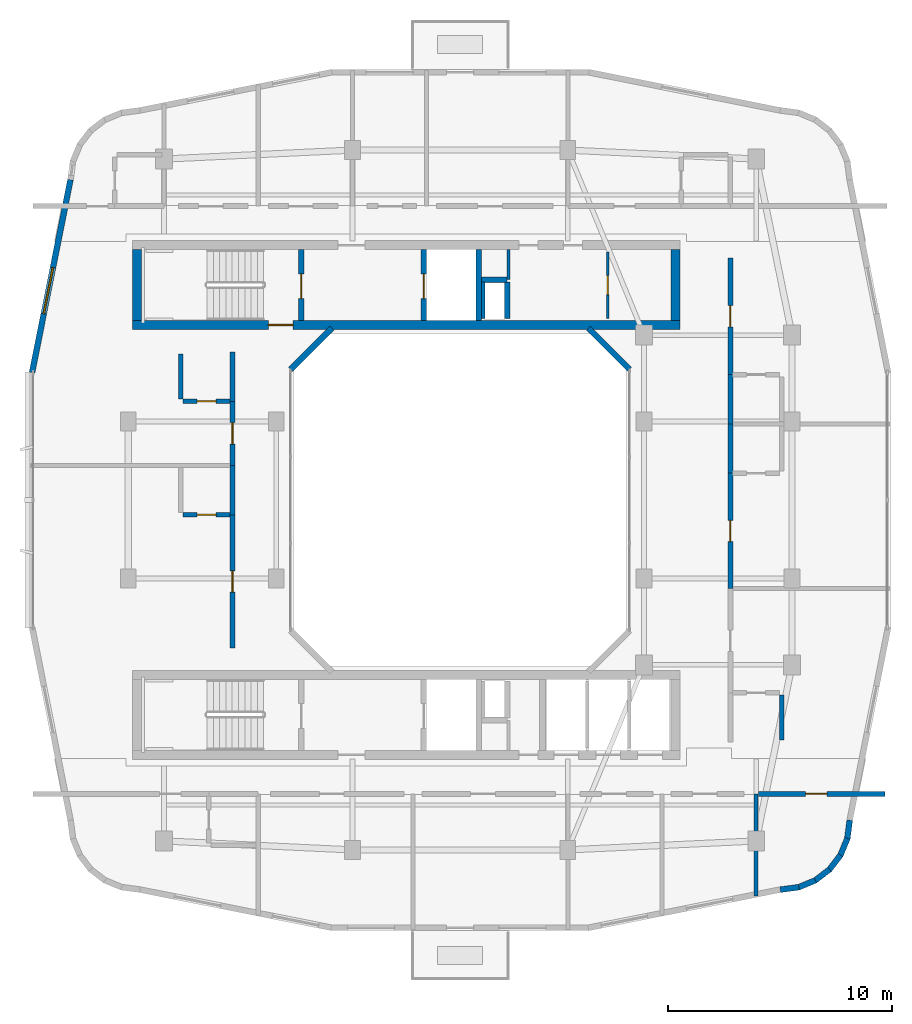
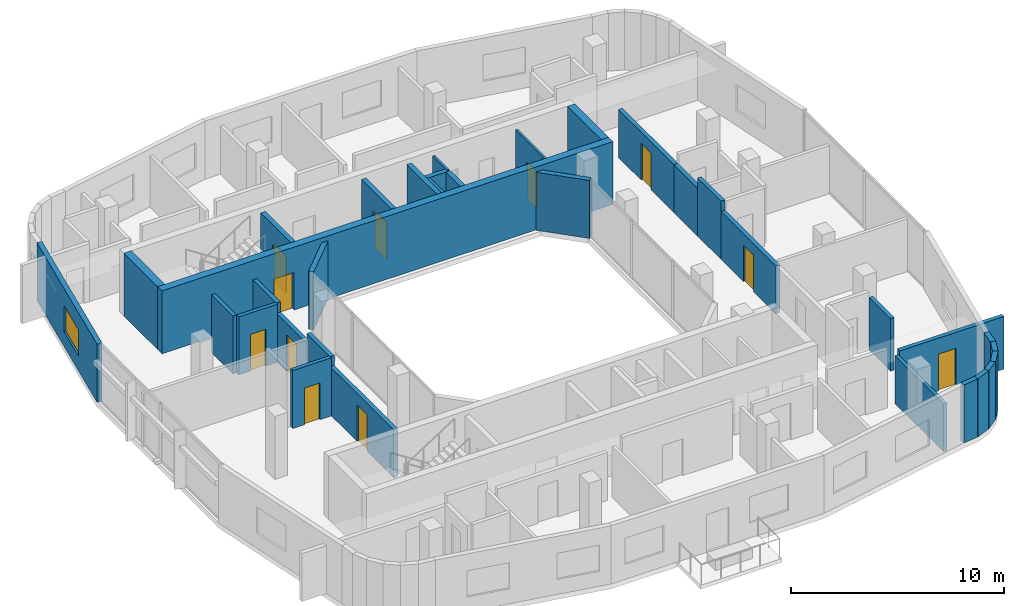
# One storey, part 7 of 13: 34 walls, 11 doors, 1 window, 12 openings.
"""IFC4 building model written with IfcOpenShell, lengths in metres."""

from ifc_helpers import new_model, si_unit, derived_unit, direction, frame, frame_2d, origin, place, context, subcontext, project, spatial, rectangle, extrude, material, layer, layer_set, type_object, element, fill, save


model = new_model("IFC4")

# Units and contexts
model_context = context("Model", 3, precision=1e-05, world=origin(), true_north=direction((0.0, 1.0)))
body_context = subcontext(model_context, "Body", "Model", "MODEL_VIEW")
ifc_project = project(units=[si_unit("LENGTHUNIT", "METRE"), si_unit("AREAUNIT", "SQUARE_METRE"), si_unit("VOLUMEUNIT", "CUBIC_METRE"), si_unit("PLANEANGLEUNIT", "RADIAN"), si_unit("MASSUNIT", "GRAM", prefix="KILO"), derived_unit("THERMALTRANSMITTANCEUNIT", [(si_unit("POWERUNIT", "WATT"), 1), (si_unit("LENGTHUNIT", "METRE"), -2), (si_unit("THERMODYNAMICTEMPERATUREUNIT", "KELVIN"), -1)])], contexts=[model_context])

# Site, building, storey
site_placement = place(None, origin())
site = spatial("IfcSite", under=ifc_project, at=site_placement, CompositionType="ELEMENT")
building_placement = place(site_placement, origin())
building = spatial("IfcBuilding", under=site, at=building_placement, Name="Kivonza Crest Hotel", CompositionType="ELEMENT")
storey_placement = place(building_placement, frame((0.0, 0.0, 231.5)))
storey = spatial("IfcBuildingStorey", under=building, at=storey_placement, Name="L63", CompositionType="ELEMENT", Elevation=231.5)

# Wall
ifc_material_1 = material(Name="High-density acoustic masonry inter-tenancy wall", Category="masonry")
ifc_layer_1 = layer(ifc_material_1, 0.179931640625)
ifc_layer_set_1 = layer_set([ifc_layer_1], Name="High-density acoustic masonry inter-tenancy wall")
wall_type_1 = type_object("IfcWallType", Name="WL-ACOU-180", PredefinedType="SOLIDWALL", material=ifc_layer_set_1)
wall_1_placement = place(storey_placement, frame((34.199951171875, 7.342041015625, 0.0), z_axis=(0.0, 0.0, 1.0), x_axis=(0.0, 1.0, 0.0)))
element("IfcWall", 1, at=wall_1_placement, inside=storey, type_object=wall_type_1, Name="L63 interior partition WA-L63-T1S-DIV3", PredefinedType="SOLIDWALL", context=body_context, shape_type="SweptSolid", body=[
    extrude(rectangle(XDim=4.557861328125, YDim=0.179931640625, at=frame_2d((2.27880859375, 0.0))), origin(), (0.0, 0.0, 1.0), 2.7451171875),
])

# Wall, opening, door
ifc_material_2 = material(Name="Autoclaved aerated concrete blockwork", Category="masonry")
ifc_layer_2 = layer(ifc_material_2, 0.219970703125)
ifc_layer_set_2 = layer_set([ifc_layer_2], Name="Autoclaved aerated concrete blockwork")
wall_type_2 = type_object("IfcWallType", Name="WL-ACOU-220", PredefinedType="SOLIDWALL", material=ifc_layer_set_2)
wall_2_placement = place(storey_placement, frame((34.300048828125, 11.89990234375, 0.0), z_axis=(0.0, 0.0, 1.0), x_axis=(1.0, 0.0, 0.0)))
wall_2 = element("IfcWall", 2, at=wall_2_placement, inside=storey, type_object=wall_type_2, Name="L63 interior partition WA-L63-BUS-MTG-N", PredefinedType="SOLIDWALL", context=body_context, shape_type="SweptSolid", body=[
    extrude(rectangle(XDim=5.639892578125, YDim=0.219970703125, at=frame_2d((2.81982421875, 0.0))), origin(), (0.0, 0.0, 1.0), 3.014892578125),
])
opening_1_placement = place(wall_2_placement, frame((2.10009765625, 0.0, 0.0)))
opening_1 = element("IfcOpeningElement", 3, at=opening_1_placement, cuts=wall_2, Name="Opening DF-60S", PredefinedType="OPENING", context=body_context, shape_type="SweptSolid", body=[
    extrude(rectangle(XDim=0.949951171875, YDim=2.10009765625, at=frame_2d((0.47509765625, 1.050048828125))), frame((0.0, 0.1201171875, 0.0), z_axis=(0.0, -1.0, 0.0), x_axis=(1.0, 0.0, 0.0)), (0.0, 0.0, 1.0), 0.239990234375),
])
ifc_material_3 = material(Name="Hardwood timber oak", Category="wood")
door_type_1 = type_object("IfcDoorType", Name="DR-FD60-950", OperationType="NOTDEFINED", PredefinedType="DOOR", material=ifc_material_3)
door_1_placement = place(opening_1_placement, frame((0.949951171875, 0.0, 0.0), z_axis=(0.0, 0.0, 1.0), x_axis=(-1.0, 0.0, 0.0)))
door_1 = element("IfcDoor", 4, at=door_1_placement, inside=storey, type_object=door_type_1, Name="L63 Private Fitness Gym Studio door", OperationType="SINGLE_SWING_RIGHT", OverallHeight=2.10009765625, OverallWidth=0.949951171875, PredefinedType="DOOR", context=body_context, shape_type="SweptSolid", body=[
    extrude(rectangle(XDim=0.949951171875, YDim=2.10009765625, at=frame_2d((0.47509765625, 1.050048828125))), frame((0.0, 0.02490234375, 0.0), z_axis=(0.0, -1.0, 0.0), x_axis=(1.0, 0.0, 0.0)), (0.0, 0.0, 1.0), 0.050048828125),
])
fill(opening_1, door_1)

# Wall
wall_3_placement = place(storey_placement, frame((10.85009765625, 24.340087890625, 0.0), z_axis=(0.0, 0.0, 1.0), x_axis=(0.0, 1.0, 0.0)))
element("IfcWall", 5, at=wall_3_placement, inside=storey, type_object=wall_type_2, Name="L63 interior partition WA-L63-W04-BCORR", PredefinedType="SOLIDWALL", context=body_context, shape_type="SweptSolid", body=[
    extrude(rectangle(XDim=2.199951171875, YDim=0.219970703125, at=frame_2d((1.10009765625, 0.0))), origin(), (0.0, 0.0, 1.0), 3.320068359375),
])

# Wall, opening, door
wall_4_placement = place(storey_placement, frame((10.85009765625, 18.39990234375, 0.0), z_axis=(0.0, 0.0, 1.0), x_axis=(0.0, 1.0, 0.0)))
wall_4 = element("IfcWall", 6, at=wall_4_placement, inside=storey, type_object=wall_type_2, Name="L63 interior partition WA-L63-W04-MCORR", PredefinedType="SOLIDWALL", context=body_context, shape_type="SweptSolid", body=[
    extrude(rectangle(XDim=5.940185546875, YDim=0.219970703125, at=frame_2d((2.97021484375, 0.0))), origin(), (0.0, 0.0, 1.0), 2.7451171875),
])
opening_2_placement = place(wall_4_placement, frame((2.4951171875, 0.0, 0.0)))
opening_2 = element("IfcOpeningElement", 7, at=opening_2_placement, cuts=wall_4, Name="Opening DU-60", PredefinedType="OPENING", context=body_context, shape_type="SweptSolid", body=[
    extrude(rectangle(XDim=0.949951171875, YDim=2.10009765625, at=frame_2d((0.47509765625, 1.050048828125))), frame((0.0, 0.1201171875, 0.0), z_axis=(0.0, -1.0, 0.0), x_axis=(1.0, 0.0, 0.0)), (0.0, 0.0, 1.0), 0.239990234375),
])
door_type_2 = type_object("IfcDoorType", Name="DR-UNIT-950", OperationType="NOTDEFINED", PredefinedType="DOOR", material=ifc_material_3)
door_2_placement = place(opening_2_placement, origin())
door_2 = element("IfcDoor", 8, at=door_2_placement, inside=storey, type_object=door_type_2, Name="L63 W04 guest unit entrance fire door", OperationType="SINGLE_SWING_RIGHT", OverallHeight=2.10009765625, OverallWidth=0.949951171875, PredefinedType="DOOR", context=body_context, shape_type="SweptSolid", body=[
    extrude(rectangle(XDim=0.949951171875, YDim=2.10009765625, at=frame_2d((0.47509765625, 1.050048828125))), frame((0.0, 0.02490234375, 0.0), z_axis=(0.0, -1.0, 0.0), x_axis=(1.0, 0.0, 0.0)), (0.0, 0.0, 1.0), 0.050048828125),
])
fill(opening_2, door_2)

# Wall
wall_5_placement = place(storey_placement, frame((10.85009765625, 29.39990234375, 0.0), z_axis=(0.0, 0.0, 1.0), x_axis=(0.0, 1.0, 0.0)))
element("IfcWall", 9, at=wall_5_placement, inside=storey, type_object=wall_type_2, Name="L63 interior partition WA-L63-W05-BCORR", PredefinedType="SOLIDWALL", context=body_context, shape_type="SweptSolid", body=[
    extrude(rectangle(XDim=2.2001953125, YDim=0.219970703125, at=frame_2d((1.10009765625, 0.0))), origin(), (0.0, 0.0, 1.0), 3.320068359375),
])

# Wall, opening, door
wall_6_placement = place(storey_placement, frame((10.85009765625, 26.5400390625, 0.0), z_axis=(0.0, 0.0, 1.0), x_axis=(0.0, 1.0, 0.0)))
wall_6 = element("IfcWall", 10, at=wall_6_placement, inside=storey, type_object=wall_type_2, Name="L63 interior partition WA-L63-W05-MCORR", PredefinedType="SOLIDWALL", context=body_context, shape_type="SweptSolid", body=[
    extrude(rectangle(XDim=2.85986328125, YDim=0.219970703125, at=frame_2d((1.429931640625, 0.0))), origin(), (0.0, 0.0, 1.0), 2.7451171875),
])
opening_3_placement = place(wall_6_placement, frame((0.955078125, 0.0, 0.0)))
opening_3 = element("IfcOpeningElement", 11, at=opening_3_placement, cuts=wall_6, Name="Opening DU-60", PredefinedType="OPENING", context=body_context, shape_type="SweptSolid", body=[
    extrude(rectangle(XDim=0.949951171875, YDim=2.10009765625, at=frame_2d((0.47509765625, 1.050048828125))), frame((0.0, 0.1201171875, 0.0), z_axis=(0.0, -1.0, 0.0), x_axis=(1.0, 0.0, 0.0)), (0.0, 0.0, 1.0), 0.239990234375),
])
door_3_placement = place(opening_3_placement, origin())
door_3 = element("IfcDoor", 12, at=door_3_placement, inside=storey, type_object=door_type_2, Name="L63 W05 guest unit entrance fire door", OperationType="SINGLE_SWING_LEFT", OverallHeight=2.10009765625, OverallWidth=0.949951171875, PredefinedType="DOOR", context=body_context, shape_type="SweptSolid", body=[
    extrude(rectangle(XDim=0.949951171875, YDim=2.10009765625, at=frame_2d((0.47509765625, 1.050048828125))), frame((0.0, 0.02490234375, 0.0), z_axis=(0.0, -1.0, 0.0), x_axis=(1.0, 0.0, 0.0)), (0.0, 0.0, 1.0), 0.050048828125),
])
fill(opening_3, door_3)

# Wall
wall_7_placement = place(storey_placement, frame((33.050048828125, 26.193115234375, 0.0), z_axis=(0.0, 0.0, 1.0), x_axis=(0.0, 1.0, 0.0)))
element("IfcWall", 13, at=wall_7_placement, inside=storey, type_object=wall_type_2, Name="L63 interior partition WA-L63-E07-BCORR", PredefinedType="SOLIDWALL", context=body_context, shape_type="SweptSolid", body=[
    extrude(rectangle(XDim=2.199951171875, YDim=0.219970703125, at=frame_2d((1.10009765625, 0.0))), origin(), (0.0, 0.0, 1.0), 3.320068359375),
])

# Wall, opening, door
wall_8_placement = place(storey_placement, frame((33.050048828125, 21.049072265625, 0.0), z_axis=(0.0, 0.0, 1.0), x_axis=(0.0, 1.0, 0.0)))
wall_8 = element("IfcWall", 14, at=wall_8_placement, inside=storey, type_object=wall_type_2, Name="L63 interior partition WA-L63-E07-MCORR", PredefinedType="SOLIDWALL", context=body_context, shape_type="SweptSolid", body=[
    extrude(rectangle(XDim=5.14404296875, YDim=0.219970703125, at=frame_2d((2.572021484375, 0.0))), origin(), (0.0, 0.0, 1.0), 2.7451171875),
])
opening_4_placement = place(wall_8_placement, frame((2.096923828125, 0.0, 0.0)))
opening_4 = element("IfcOpeningElement", 15, at=opening_4_placement, cuts=wall_8, Name="Opening DU-60", PredefinedType="OPENING", context=body_context, shape_type="SweptSolid", body=[
    extrude(rectangle(XDim=0.949951171875, YDim=2.10009765625, at=frame_2d((0.47509765625, 1.050048828125))), frame((0.0, 0.1201171875, 0.0), z_axis=(0.0, -1.0, 0.0), x_axis=(1.0, 0.0, 0.0)), (0.0, 0.0, 1.0), 0.239990234375),
])
door_4_placement = place(opening_4_placement, frame((0.949951171875, 0.0, 0.0), z_axis=(0.0, 0.0, 1.0), x_axis=(-1.0, 0.0, 0.0)))
door_4 = element("IfcDoor", 16, at=door_4_placement, inside=storey, type_object=door_type_2, Name="L63 E07 guest unit entrance fire door", OperationType="SINGLE_SWING_LEFT", OverallHeight=2.10009765625, OverallWidth=0.949951171875, PredefinedType="DOOR", context=body_context, shape_type="SweptSolid", body=[
    extrude(rectangle(XDim=0.949951171875, YDim=2.10009765625, at=frame_2d((0.47509765625, 1.050048828125))), frame((0.0, 0.02490234375, 0.0), z_axis=(0.0, -1.0, 0.0), x_axis=(1.0, 0.0, 0.0)), (0.0, 0.0, 1.0), 0.050048828125),
])
fill(opening_4, door_4)

# Wall
wall_9_placement = place(storey_placement, frame((33.050048828125, 28.39306640625, 0.0), z_axis=(0.0, 0.0, 1.0), x_axis=(0.0, 1.0, 0.0)))
element("IfcWall", 17, at=wall_9_placement, inside=storey, type_object=wall_type_2, Name="L63 interior partition WA-L63-E08-BCORR", PredefinedType="SOLIDWALL", context=body_context, shape_type="SweptSolid", body=[
    extrude(rectangle(XDim=2.199951171875, YDim=0.219970703125, at=frame_2d((1.10009765625, 0.0))), origin(), (0.0, 0.0, 1.0), 2.7451171875),
])

# Wall, opening, door
wall_10_placement = place(storey_placement, frame((33.050048828125, 30.593017578125, 0.0), z_axis=(0.0, 0.0, 1.0), x_axis=(0.0, 1.0, 0.0)))
wall_10 = element("IfcWall", 18, at=wall_10_placement, inside=storey, type_object=wall_type_2, Name="L63 interior partition WA-L63-E08-MCORR", PredefinedType="SOLIDWALL", context=body_context, shape_type="SweptSolid", body=[
    extrude(rectangle(XDim=5.20703125, YDim=0.219970703125, at=frame_2d((2.603515625, 0.0))), origin(), (0.0, 0.0, 1.0), 2.7451171875),
])
opening_5_placement = place(wall_10_placement, frame((2.1279296875, 0.0, 0.0)))
opening_5 = element("IfcOpeningElement", 19, at=opening_5_placement, cuts=wall_10, Name="Opening DU-60", PredefinedType="OPENING", context=body_context, shape_type="SweptSolid", body=[
    extrude(rectangle(XDim=0.949951171875, YDim=2.10009765625, at=frame_2d((0.47509765625, 1.050048828125))), frame((0.0, 0.1201171875, 0.0), z_axis=(0.0, -1.0, 0.0), x_axis=(1.0, 0.0, 0.0)), (0.0, 0.0, 1.0), 0.239990234375),
])
door_5_placement = place(opening_5_placement, frame((0.949951171875, 0.0, 0.0), z_axis=(0.0, 0.0, 1.0), x_axis=(-1.0, 0.0, 0.0)))
door_5 = element("IfcDoor", 20, at=door_5_placement, inside=storey, type_object=door_type_2, Name="L63 E08 guest unit entrance fire door", OperationType="SINGLE_SWING_RIGHT", OverallHeight=2.10009765625, OverallWidth=0.949951171875, PredefinedType="DOOR", context=body_context, shape_type="SweptSolid", body=[
    extrude(rectangle(XDim=0.949951171875, YDim=2.10009765625, at=frame_2d((0.47509765625, 1.050048828125))), frame((0.0, 0.02490234375, 0.0), z_axis=(0.0, -1.0, 0.0), x_axis=(1.0, 0.0, 0.0)), (0.0, 0.0, 1.0), 0.050048828125),
])
fill(opening_5, door_5)

ifc_material_4 = material(Name="Concrete C50/60", Category="concrete")
ifc_layer_3 = layer(ifc_material_4, 0.39990234375)
ifc_layer_set_3 = layer_set([ifc_layer_3], Name="Concrete C50/60")
wall_type_3 = type_object("IfcWallType", Name="WL-CORE-400", PredefinedType="SHEAR", material=ifc_layer_set_3)
wall_11_placement = place(storey_placement, frame((6.39990234375, 32.800048828125, 0.0), z_axis=(0.0, 0.0, 1.0), x_axis=(1.0, 0.0, 0.0)))
wall_11 = element("IfcWall", 21, at=wall_11_placement, inside=storey, type_object=wall_type_3, Name="Core wall T1-N South L63", PredefinedType="SHEAR", context=body_context, shape_type="SweptSolid", body=[
    extrude(rectangle(XDim=24.400146484375, YDim=0.39990234375, at=frame_2d((12.2001953125, 0.0))), origin(), (0.0, 0.0, 1.0), 3.60009765625),
])
opening_6_placement = place(wall_11_placement, frame((6.050048828125, 0.0, 0.0)))
opening_6 = element("IfcOpeningElement", 22, at=opening_6_placement, cuts=wall_11, Name="Opening DF-120", PredefinedType="OPENING", context=body_context, shape_type="SweptSolid", body=[
    extrude(rectangle(XDim=1.10009765625, YDim=2.14990234375, at=frame_2d((0.550048828125, 1.074951171875))), frame((0.0, 0.2099609375, 0.0), z_axis=(0.0, -1.0, 0.0), x_axis=(1.0, 0.0, 0.0)), (0.0, 0.0, 1.0), 0.419921875),
])
ifc_material_5 = material(Name="Galvanised steel", Category="steel")
door_type_3 = type_object("IfcDoorType", Name="DR-FD120-1100", OperationType="NOTDEFINED", PredefinedType="DOOR", material=ifc_material_5)
door_6_placement = place(opening_6_placement, origin())
door_6 = element("IfcDoor", 23, at=door_6_placement, inside=storey, type_object=door_type_3, Name="L63 West corridor stair access fire door", OperationType="SINGLE_SWING_LEFT", OverallHeight=2.14990234375, OverallWidth=1.10009765625, PredefinedType="DOOR", context=body_context, shape_type="SweptSolid", body=[
    extrude(rectangle(XDim=1.10009765625, YDim=2.14990234375, at=frame_2d((0.550048828125, 1.074951171875))), frame((0.0, 0.02490234375, 0.0), z_axis=(0.0, -1.0, 0.0), x_axis=(1.0, 0.0, 0.0)), (0.0, 0.0, 1.0), 0.050048828125),
])
fill(opening_6, door_6)

# Walls
for number, where, z_axis, x_axis, name in (
    (24, (6.60009765625, 33.0, 0.0), (0.0, 0.0, 1.0), (0.0, 1.0, 0.0), "Core wall T1-N West L63"),
    (25, (30.60009765625, 33.0, 0.0), (0.0, 0.0, 1.0), (0.0, 1.0, 0.0), "Core wall T1-N East L63"),
):
    element("IfcWall", number, at=place(storey_placement, frame(where, z_axis=z_axis, x_axis=x_axis)), inside=storey, type_object=wall_type_3, Name=name, PredefinedType="SHEAR", context=body_context, shape_type="SweptSolid", body=[
        extrude(rectangle(XDim=3.159912109375, YDim=0.39990234375, at=frame_2d((1.580078125, 0.0))), origin(), (0.0, 0.0, 1.0), 3.60009765625),
    ])
ifc_material_6 = material(Name="Precast concrete C40/50", Category="concrete")
ifc_layer_4 = layer(ifc_material_6, 0.260009765625)
ifc_layer_set_4 = layer_set([ifc_layer_4], Name="Precast concrete C40/50")
wall_type_4 = type_object("IfcWallType", Name="WL-EXT-260", PredefinedType="STANDARD", material=ifc_layer_set_4)
wall_12_placement = place(storey_placement, frame((35.27490234375, 7.6279296875, 0.0), z_axis=(0.0, 0.0, 1.0), x_axis=(0.9913883573, 0.130954667764, 0.0)))
element("IfcWall", 26, at=wall_12_placement, inside=storey, type_object=wall_type_4, Name="L63 T1 exterior insulated wall 10", PredefinedType="STANDARD", context=body_context, shape_type="SweptSolid", body=[
    extrude(rectangle(XDim=0.833251953125, YDim=0.260009765625, at=frame_2d((0.41650390625, 0.0))), origin(), (0.0, 0.0, 1.0), 3.320068359375),
])
wall_13_placement = place(storey_placement, frame((36.054931640625, 7.718994140625, 0.0), z_axis=(0.0, 0.0, 1.0), x_axis=(0.923754491172, 0.382985169477, 0.0)))
element("IfcWall", 27, at=wall_13_placement, inside=storey, type_object=wall_type_4, Name="L63 T1 exterior insulated wall 11", PredefinedType="STANDARD", context=body_context, shape_type="SweptSolid", body=[
    extrude(rectangle(XDim=0.85107421875, YDim=0.260009765625, at=frame_2d((0.425537109375, 0.0))), origin(), (0.0, 0.0, 1.0), 3.320068359375),
])
for number, where, z_axis, x_axis, name in (
    (28, (36.801025390625, 8.01708984375, 0.0), (0.0, 0.0, 1.0), (0.793999057278, 0.607918988881, 0.0), "L63 T1 exterior insulated wall 12"),
    (29, (37.445068359375, 8.49609375, 0.0), (0.0, 0.0, 1.0), (0.608057619941, 0.793892896323, 0.0), "L63 T1 exterior insulated wall 13"),
):
    element("IfcWall", number, at=place(storey_placement, frame(where, z_axis=z_axis, x_axis=x_axis)), inside=storey, type_object=wall_type_4, Name=name, PredefinedType="STANDARD", context=body_context, shape_type="SweptSolid", body=[
        extrude(rectangle(XDim=0.85009765625, YDim=0.260009765625, at=frame_2d((0.425048828125, 0.0))), origin(), (0.0, 0.0, 1.0), 3.320068359375),
    ])
wall_14_placement = place(storey_placement, frame((37.94091796875, 9.126953125, 0.0), z_axis=(0.0, 0.0, 1.0), x_axis=(0.383229930484, 0.923652976167, 0.0)))
element("IfcWall", 30, at=wall_14_placement, inside=storey, type_object=wall_type_4, Name="L63 T1 exterior insulated wall 14", PredefinedType="STANDARD", context=body_context, shape_type="SweptSolid", body=[
    extrude(rectangle(XDim=0.85107421875, YDim=0.260009765625, at=frame_2d((0.425537109375, 0.0))), origin(), (0.0, 0.0, 1.0), 3.320068359375),
])
wall_15_placement = place(storey_placement, frame((38.259033203125, 9.864013671875, 0.0), z_axis=(0.0, 0.0, 1.0), x_axis=(0.130156359936, 0.991493480548, 0.0)))
element("IfcWall", 31, at=wall_15_placement, inside=storey, type_object=wall_type_4, Name="L63 T1 exterior insulated wall 15", PredefinedType="STANDARD", context=body_context, shape_type="SweptSolid", body=[
    extrude(rectangle(XDim=0.868408203125, YDim=0.260009765625, at=frame_2d((0.43408203125, 0.0))), origin(), (0.0, 0.0, 1.0), 3.320068359375),
])

# Wall, opening, window
wall_16_placement = place(storey_placement, frame((3.62890625, 39.282958984375, 0.0), z_axis=(0.0, 0.0, 1.0), x_axis=(-0.195291715883, -0.980745199176, 0.0)))
wall_16 = element("IfcWall", 32, at=wall_16_placement, inside=storey, type_object=wall_type_4, Name="L63 T1 exterior insulated wall 34", PredefinedType="STANDARD", context=body_context, shape_type="SweptSolid", body=[
    extrude(rectangle(XDim=8.77099609375, YDim=0.260009765625, at=frame_2d((4.385498046875, 0.0))), origin(), (0.0, 0.0, 1.0), 3.320068359375),
])
opening_7_placement = place(wall_16_placement, frame((4.0, 0.0, 0.85009765625)))
opening_7 = element("IfcOpeningElement", 33, at=opening_7_placement, cuts=wall_16, Name="Opening WN-04", PredefinedType="OPENING", context=body_context, shape_type="SweptSolid", body=[
    extrude(rectangle(XDim=2.10009765625, YDim=1.5, at=frame_2d((1.050048828125, 0.75))), frame((0.0, 0.14013671875, 0.0), z_axis=(0.0, -1.0, 0.0), x_axis=(1.0, 0.0, 0.0)), (0.0, 0.0, 1.0), 0.280029296875),
])
ifc_material_7 = material(Name="Thermally broken bronze aluminium and low-E double glazing", Category="aluminium")
window_type = type_object("IfcWindowType", Name="WN-210x150", PartitioningType="DOUBLE_PANEL_VERTICAL", PredefinedType="WINDOW", material=ifc_material_7)
window_placement = place(opening_7_placement, origin())
window = element("IfcWindow", 34, at=window_placement, inside=storey, type_object=window_type, Name="L63 T1 facade window 34", OverallHeight=1.5, OverallWidth=2.10009765625, PartitioningType="SINGLE_PANEL", PredefinedType="WINDOW", context=body_context, shape_type="SweptSolid", body=[
    extrude(rectangle(XDim=2.10009765625, YDim=1.5, at=frame_2d((1.050048828125, 0.75))), frame((0.0, 0.030029296875, 0.0), z_axis=(0.0, -1.0, 0.0), x_axis=(1.0, 0.0, 0.0)), (0.0, 0.0, 1.0), 0.06005859375),
])
fill(opening_7, window)

# Walls
for number, where, z_axis, x_axis, name in (
    (35, (28.555908203125, 30.827880859375, 0.0), (0.0, 0.0, 1.0), (-0.707059717605, 0.707153841636, 0.0), "L63 T1 light-well exterior wall 4"),
    (36, (15.278076171875, 32.662109375, 0.0), (0.0, 0.0, 1.0), (-0.707059717605, -0.707153841636, 0.0), "L63 T1 light-well exterior wall 6"),
):
    element("IfcWall", number, at=place(storey_placement, frame(where, z_axis=z_axis, x_axis=x_axis)), inside=storey, type_object=wall_type_4, Name=name, PredefinedType="STANDARD", context=body_context, shape_type="SweptSolid", body=[
        extrude(rectangle(XDim=2.59375, YDim=0.260009765625, at=frame_2d((1.296875, 0.0))), origin(), (0.0, 0.0, 1.0), 3.320068359375),
    ])
ifc_material_8 = material(Name="Concrete blockwork fire-compartment wall", Category="masonry")
ifc_layer_5 = layer(ifc_material_8, 0.25)
ifc_layer_set_5 = layer_set([ifc_layer_5], Name="Concrete blockwork fire-compartment wall")
wall_type_5 = type_object("IfcWallType", Name="WL-FIRE-250", PredefinedType="SOLIDWALL", material=ifc_layer_set_5)
wall_17_placement = place(storey_placement, frame((23.10009765625, 33.10009765625, 0.0), z_axis=(0.0, 0.0, 1.0), x_axis=(0.0, 1.0, 0.0)))
element("IfcWall", 37, at=wall_17_placement, inside=storey, type_object=wall_type_5, Name="L63 interior partition WA-L63-T1-N-MEPR-E", PredefinedType="SOLIDWALL", context=body_context, shape_type="SweptSolid", body=[
    extrude(rectangle(XDim=1.619873046875, YDim=0.25, at=frame_2d((0.81005859375, 0.0))), origin(), (0.0, 0.0, 1.0), 3.320068359375),
])
wall_18_placement = place(storey_placement, frame((21.949951171875, 34.820068359375, 0.0), z_axis=(0.0, 0.0, 1.0), x_axis=(1.0, 0.0, 0.0)))
element("IfcWall", 38, at=wall_18_placement, inside=storey, type_object=wall_type_5, Name="L63 interior partition WA-L63-T1-N-MEPR-H", PredefinedType="SOLIDWALL", context=body_context, shape_type="SweptSolid", body=[
    extrude(rectangle(XDim=1.150146484375, YDim=0.25, at=frame_2d((0.5751953125, 0.0))), origin(), (0.0, 0.0, 1.0), 3.320068359375),
])

# Wall, opening, door
ifc_material_9 = material(Name="Metal-stud gypsum board partition", Category="gypsum")
ifc_layer_6 = layer(ifc_material_9, 0.125)
ifc_layer_set_6 = layer_set([ifc_layer_6], Name="Metal-stud gypsum board partition")
wall_type_6 = type_object("IfcWallType", Name="WL-PART-125", PredefinedType="PARTITIONING", material=ifc_layer_set_6)
wall_19_placement = place(storey_placement, frame((27.580078125, 33.10009765625, 0.0), z_axis=(0.0, 0.0, 1.0), x_axis=(0.0, 1.0, 0.0)))
wall_19 = element("IfcWall", 39, at=wall_19_placement, inside=storey, type_object=wall_type_6, Name="L63 interior partition WP-L63-T1-N-RECL", PredefinedType="PARTITIONING", context=body_context, shape_type="SweptSolid", body=[
    extrude(rectangle(XDim=2.9599609375, YDim=0.125, at=frame_2d((1.47998046875, 0.0))), origin(), (0.0, 0.0, 1.0), 3.320068359375),
])
opening_8_placement = place(wall_19_placement, frame((1.054931640625, 0.0, 0.0)))
opening_8 = element("IfcOpeningElement", 40, at=opening_8_placement, cuts=wall_19, Name="Opening DI-85", PredefinedType="OPENING", context=body_context, shape_type="SweptSolid", body=[
    extrude(rectangle(XDim=0.85009765625, YDim=2.10009765625, at=frame_2d((0.425048828125, 1.050048828125))), frame((0.0, 0.072509765625, 0.0), z_axis=(0.0, -1.0, 0.0), x_axis=(1.0, 0.0, 0.0)), (0.0, 0.0, 1.0), 0.14501953125),
])
door_type_4 = type_object("IfcDoorType", Name="DR-INT-850", OperationType="NOTDEFINED", PredefinedType="DOOR", material=ifc_material_3)
door_7_placement = place(opening_8_placement, origin())
door_7 = element("IfcDoor", 41, at=door_7_placement, inside=storey, type_object=door_type_4, Name="L63 T1-N reclaimed inner pantry door", OperationType="SINGLE_SWING_LEFT", OverallHeight=2.10009765625, OverallWidth=0.85009765625, PredefinedType="DOOR", context=body_context, shape_type="SweptSolid", body=[
    extrude(rectangle(XDim=0.85009765625, YDim=2.10009765625, at=frame_2d((0.425048828125, 1.050048828125))), frame((0.0, 0.02490234375, 0.0), z_axis=(0.0, -1.0, 0.0), x_axis=(1.0, 0.0, 0.0)), (0.0, 0.0, 1.0), 0.050048828125),
])
fill(opening_8, door_7)

# Walls
wall_20_placement = place(storey_placement, frame((23.159912109375, 34.820068359375, 0.0), z_axis=(0.0, 0.0, 1.0), x_axis=(0.0, 1.0, 0.0)))
element("IfcWall", 42, at=wall_20_placement, inside=storey, type_object=wall_type_6, Name="L63 interior partition WP-L63-T1-N-SV1V", PredefinedType="PARTITIONING", context=body_context, shape_type="SweptSolid", body=[
    extrude(rectangle(XDim=1.33984375, YDim=0.125, at=frame_2d((0.669921875, 0.0))), origin(), (0.0, 0.0, 1.0), 3.320068359375),
])
ifc_material_10 = material(Name="Twin-stud acoustic gypsum board partition", Category="gypsum")
ifc_layer_7 = layer(ifc_material_10, 0.14990234375)
ifc_layer_set_7 = layer_set([ifc_layer_7], Name="Twin-stud acoustic gypsum board partition")
wall_type_7 = type_object("IfcWallType", Name="WL-PART-150", PredefinedType="PARTITIONING", material=ifc_layer_set_7)
wall_21_placement = place(storey_placement, frame((22.030029296875, 33.10009765625, 0.0), z_axis=(0.0, 0.0, 1.0), x_axis=(0.0, 1.0, 0.0)))
element("IfcWall", 43, at=wall_21_placement, inside=storey, type_object=wall_type_7, Name="L63 interior partition WA-L63-T1-N-MEPR-W", PredefinedType="PARTITIONING", context=body_context, shape_type="SweptSolid", body=[
    extrude(rectangle(XDim=1.619873046875, YDim=0.14990234375, at=frame_2d((0.81005859375, 0.0))), origin(), (0.0, 0.0, 1.0), 3.320068359375),
])

# Wall, opening, door
ifc_material_11 = material(Name="Moisture-resistant plumbing chase partition wall", Category="gypsum")
ifc_layer_8 = layer(ifc_material_11, 0.199951171875)
ifc_layer_set_8 = layer_set([ifc_layer_8], Name="Moisture-resistant plumbing chase partition wall")
wall_type_8 = type_object("IfcWallType", Name="WL-PLUMB-200", PredefinedType="PLUMBINGWALL", material=ifc_layer_set_8)
wall_22_placement = place(storey_placement, frame((8.64990234375, 24.340087890625, 0.0), z_axis=(0.0, 0.0, 1.0), x_axis=(1.0, 0.0, 0.0)))
wall_22 = element("IfcWall", 44, at=wall_22_placement, inside=storey, type_object=wall_type_8, Name="L63 interior partition WW-L63-W04-BH", PredefinedType="PLUMBINGWALL", context=body_context, shape_type="SweptSolid", body=[
    extrude(rectangle(XDim=2.10009765625, YDim=0.199951171875, at=frame_2d((1.050048828125, 0.0))), origin(), (0.0, 0.0, 1.0), 3.320068359375),
])
opening_9_placement = place(wall_22_placement, frame((0.625, 0.0, 0.0)))
opening_9 = element("IfcOpeningElement", 45, at=opening_9_placement, cuts=wall_22, Name="Opening DI-85", PredefinedType="OPENING", context=body_context, shape_type="SweptSolid", body=[
    extrude(rectangle(XDim=0.85009765625, YDim=2.10009765625, at=frame_2d((0.425048828125, 1.050048828125))), frame((0.0, 0.10986328125, 0.0), z_axis=(0.0, -1.0, 0.0), x_axis=(1.0, 0.0, 0.0)), (0.0, 0.0, 1.0), 0.219970703125),
])
door_8_placement = place(opening_9_placement, frame((0.85009765625, 0.0, 0.0), z_axis=(0.0, 0.0, 1.0), x_axis=(-1.0, 0.0, 0.0)))
door_8 = element("IfcDoor", 46, at=door_8_placement, inside=storey, type_object=door_type_4, Name="L63 W04 en-suite bathroom door", OperationType="SINGLE_SWING_LEFT", OverallHeight=2.10009765625, OverallWidth=0.85009765625, PredefinedType="DOOR", context=body_context, shape_type="SweptSolid", body=[
    extrude(rectangle(XDim=0.85009765625, YDim=2.10009765625, at=frame_2d((0.425048828125, 1.050048828125))), frame((0.0, 0.02490234375, 0.0), z_axis=(0.0, -1.0, 0.0), x_axis=(1.0, 0.0, 0.0)), (0.0, 0.0, 1.0), 0.050048828125),
])
fill(opening_9, door_8)

wall_23_placement = place(storey_placement, frame((8.64990234375, 29.39990234375, 0.0), z_axis=(0.0, 0.0, 1.0), x_axis=(1.0, 0.0, 0.0)))
wall_23 = element("IfcWall", 47, at=wall_23_placement, inside=storey, type_object=wall_type_8, Name="L63 interior partition WW-L63-W05-BH", PredefinedType="PLUMBINGWALL", context=body_context, shape_type="SweptSolid", body=[
    extrude(rectangle(XDim=2.10009765625, YDim=0.199951171875, at=frame_2d((1.050048828125, 0.0))), origin(), (0.0, 0.0, 1.0), 3.320068359375),
])
opening_10_placement = place(wall_23_placement, frame((0.625, 0.0, 0.0)))
opening_10 = element("IfcOpeningElement", 48, at=opening_10_placement, cuts=wall_23, Name="Opening DI-85", PredefinedType="OPENING", context=body_context, shape_type="SweptSolid", body=[
    extrude(rectangle(XDim=0.85009765625, YDim=2.10009765625, at=frame_2d((0.425048828125, 1.050048828125))), frame((0.0, 0.10986328125, 0.0), z_axis=(0.0, -1.0, 0.0), x_axis=(1.0, 0.0, 0.0)), (0.0, 0.0, 1.0), 0.219970703125),
])
door_9_placement = place(opening_10_placement, frame((0.85009765625, 0.0, 0.0), z_axis=(0.0, 0.0, 1.0), x_axis=(-1.0, 0.0, 0.0)))
door_9 = element("IfcDoor", 49, at=door_9_placement, inside=storey, type_object=door_type_4, Name="L63 W05 en-suite bathroom door", OperationType="SINGLE_SWING_RIGHT", OverallHeight=2.10009765625, OverallWidth=0.85009765625, PredefinedType="DOOR", context=body_context, shape_type="SweptSolid", body=[
    extrude(rectangle(XDim=0.85009765625, YDim=2.10009765625, at=frame_2d((0.425048828125, 1.050048828125))), frame((0.0, 0.02490234375, 0.0), z_axis=(0.0, -1.0, 0.0), x_axis=(1.0, 0.0, 0.0)), (0.0, 0.0, 1.0), 0.050048828125),
])
fill(opening_10, door_9)

# Walls
wall_24_placement = place(storey_placement, frame((8.550048828125, 29.5, 0.0), z_axis=(0.0, 0.0, 1.0), x_axis=(0.0, 1.0, 0.0)))
element("IfcWall", 50, at=wall_24_placement, inside=storey, type_object=wall_type_8, Name="L63 interior partition WW-L63-W05-BV", PredefinedType="PLUMBINGWALL", context=body_context, shape_type="SweptSolid", body=[
    extrude(rectangle(XDim=2.0, YDim=0.199951171875, at=frame_2d((1.0, 0.0))), origin(), (0.0, 0.0, 1.0), 3.320068359375),
])
wall_25_placement = place(storey_placement, frame((35.35009765625, 14.300048828125, 0.0), z_axis=(0.0, 0.0, 1.0), x_axis=(0.0, 1.0, 0.0)))
element("IfcWall", 51, at=wall_25_placement, inside=storey, type_object=wall_type_8, Name="L63 interior partition WW-L63-E06-BV", PredefinedType="PLUMBINGWALL", context=body_context, shape_type="SweptSolid", body=[
    extrude(rectangle(XDim=2.0, YDim=0.199951171875, at=frame_2d((1.0, 0.0))), origin(), (0.0, 0.0, 1.0), 3.014892578125),
])

# Wall, opening, door
ifc_layer_9 = layer(ifc_material_4, 0.25)
ifc_layer_set_9 = layer_set([ifc_layer_9], Name="Concrete C50/60")
wall_type_9 = type_object("IfcWallType", Name="WL-SHAFT-250", PredefinedType="STANDARD", material=ifc_layer_set_9)
wall_26_placement = place(storey_placement, frame((13.925048828125, 33.0, 0.0), z_axis=(0.0, 0.0, 1.0), x_axis=(0.0, 1.0, 0.0)))
wall_26 = element("IfcWall", 52, at=wall_26_placement, inside=storey, type_object=wall_type_9, Name="Core shaft wall T1-N STAIR L63", PredefinedType="STANDARD", context=body_context, shape_type="SweptSolid", body=[
    extrude(rectangle(XDim=3.159912109375, YDim=0.25, at=frame_2d((1.580078125, 0.0))), origin(), (0.0, 0.0, 1.0), 3.320068359375),
])
opening_11_placement = place(wall_26_placement, frame((0.97998046875, 0.0, 0.0)))
opening_11 = element("IfcOpeningElement", 53, at=opening_11_placement, cuts=wall_26, Name="Opening DF-120", PredefinedType="OPENING", context=body_context, shape_type="SweptSolid", body=[
    extrude(rectangle(XDim=1.10009765625, YDim=2.14990234375, at=frame_2d((0.550048828125, 1.074951171875))), frame((0.0, 0.135009765625, 0.0), z_axis=(0.0, -1.0, 0.0), x_axis=(1.0, 0.0, 0.0)), (0.0, 0.0, 1.0), 0.27001953125),
])
door_10_placement = place(opening_11_placement, frame((1.10009765625, 0.0, 0.0), z_axis=(0.0, 0.0, 1.0), x_axis=(-1.0, 0.0, 0.0)))
door_10 = element("IfcDoor", 54, at=door_10_placement, inside=storey, type_object=door_type_3, Name="L63 T1-N stair fire door", OperationType="SINGLE_SWING_LEFT", OverallHeight=2.14990234375, OverallWidth=1.10009765625, PredefinedType="DOOR", context=body_context, shape_type="SweptSolid", body=[
    extrude(rectangle(XDim=1.10009765625, YDim=2.14990234375, at=frame_2d((0.550048828125, 1.074951171875))), frame((0.0, 0.02490234375, 0.0), z_axis=(0.0, -1.0, 0.0), x_axis=(1.0, 0.0, 0.0)), (0.0, 0.0, 1.0), 0.050048828125),
])
fill(opening_11, door_10)

wall_27_placement = place(storey_placement, frame((19.375, 33.0, 0.0), z_axis=(0.0, 0.0, 1.0), x_axis=(0.0, 1.0, 0.0)))
wall_27 = element("IfcWall", 55, at=wall_27_placement, inside=storey, type_object=wall_type_9, Name="Core shaft wall T1-N FFL-W L63", PredefinedType="STANDARD", context=body_context, shape_type="SweptSolid", body=[
    extrude(rectangle(XDim=3.159912109375, YDim=0.25, at=frame_2d((1.580078125, 0.0))), origin(), (0.0, 0.0, 1.0), 3.320068359375),
])
opening_12_placement = place(wall_27_placement, frame((0.97998046875, 0.0, 0.0)))
opening_12 = element("IfcOpeningElement", 56, at=opening_12_placement, cuts=wall_27, Name="Opening LD-120", PredefinedType="OPENING", context=body_context, shape_type="SweptSolid", body=[
    extrude(rectangle(XDim=1.10009765625, YDim=2.14990234375, at=frame_2d((0.550048828125, 1.074951171875))), frame((0.0, 0.135009765625, 0.0), z_axis=(0.0, -1.0, 0.0), x_axis=(1.0, 0.0, 0.0)), (0.0, 0.0, 1.0), 0.27001953125),
])
ifc_material_12 = material(Name="Stainless steel", Category="steel")
door_type_5 = type_object("IfcDoorType", Name="DR-LD120-1100", OperationType="NOTDEFINED", PredefinedType="DOOR", material=ifc_material_12)
door_11_placement = place(opening_12_placement, origin())
door_11 = element("IfcDoor", 57, at=door_11_placement, inside=storey, type_object=door_type_5, Name="L63 FFL-T1-N firefighting lift sliding landing door", OperationType="DOUBLE_DOOR_SLIDING", OverallHeight=2.14990234375, OverallWidth=1.10009765625, PredefinedType="DOOR", context=body_context, shape_type="SweptSolid", body=[
    extrude(rectangle(XDim=1.10009765625, YDim=2.14990234375, at=frame_2d((0.550048828125, 1.074951171875))), frame((0.0, 0.02490234375, 0.0), z_axis=(0.0, -1.0, 0.0), x_axis=(1.0, 0.0, 0.0)), (0.0, 0.0, 1.0), 0.050048828125),
])
fill(opening_12, door_11)

# Wall
wall_28_placement = place(storey_placement, frame((21.824951171875, 33.0, 0.0), z_axis=(0.0, 0.0, 1.0), x_axis=(0.0, 1.0, 0.0)))
element("IfcWall", 58, at=wall_28_placement, inside=storey, type_object=wall_type_9, Name="Core shaft wall T1-N FFL-E L63", PredefinedType="STANDARD", context=body_context, shape_type="SweptSolid", body=[
    extrude(rectangle(XDim=3.159912109375, YDim=0.25, at=frame_2d((1.580078125, 0.0))), origin(), (0.0, 0.0, 1.0), 3.320068359375),
])

save(model, "model.ifc")
